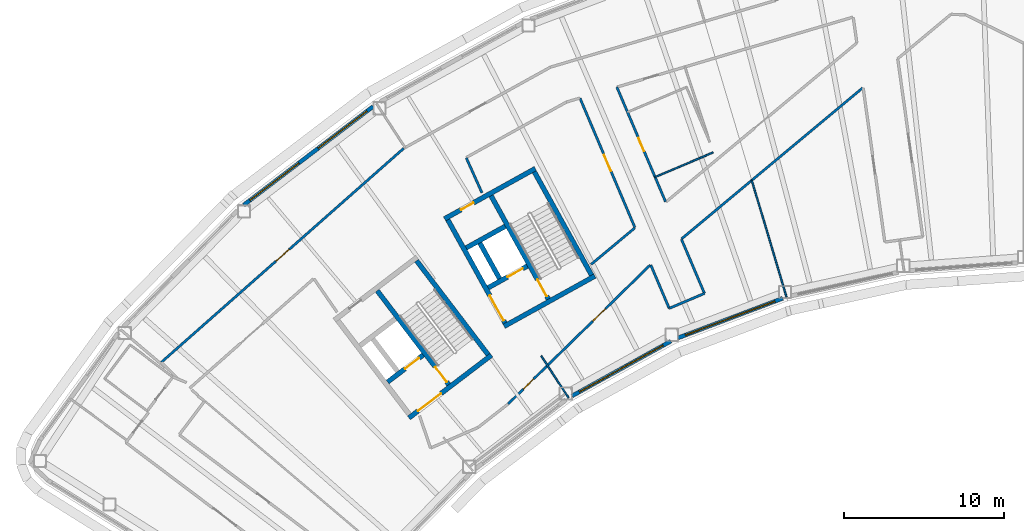
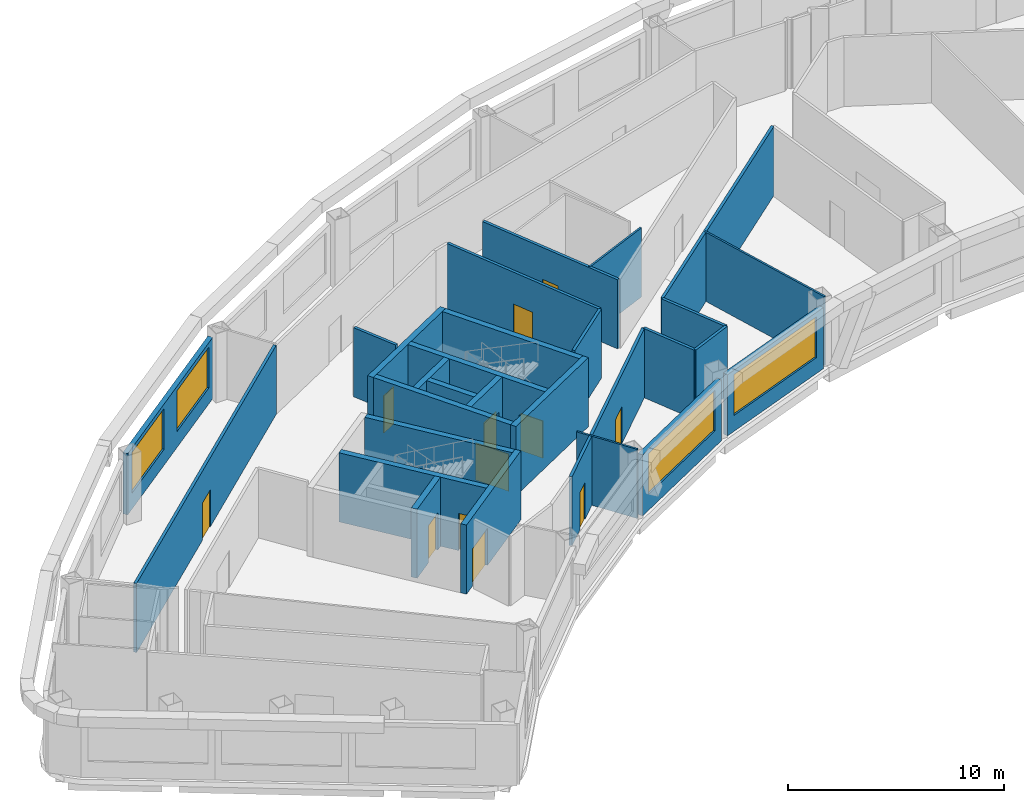
# One storey, part 6 of 14: 28 walls, 12 doors, 4 windows, 16 openings.
"""IFC4 building model written with IfcOpenShell, lengths in metres."""

from ifc_helpers import new_model, si_unit, direction, frame, frame_2d, origin, place, context, subcontext, project, spatial, rectangle, extrude, material, layer, layer_set, type_object, element, fill, save


model = new_model("IFC4")

# Units and contexts
model_context = context("Model", 3, precision=1e-05, world=origin(), true_north=direction((0.0, 1.0)))
body_context = subcontext(model_context, "Body", "Model", "MODEL_VIEW")
ifc_project = project(units=[si_unit("LENGTHUNIT", "METRE"), si_unit("AREAUNIT", "SQUARE_METRE"), si_unit("VOLUMEUNIT", "CUBIC_METRE"), si_unit("PLANEANGLEUNIT", "RADIAN"), si_unit("MASSUNIT", "GRAM", prefix="KILO")], contexts=[model_context])

# Site, building, storey
site_placement = place(None, origin())
site = spatial("IfcSite", under=ifc_project, at=site_placement, CompositionType="ELEMENT")
building_placement = place(site_placement, origin())
building = spatial("IfcBuilding", under=site, at=building_placement, Name="Tuul Gate Civic Tower", CompositionType="ELEMENT")
storey_placement = place(building_placement, frame((0.0, 0.0, 323.89990234375)))
storey = spatial("IfcBuildingStorey", under=building, at=storey_placement, Name="Level 73", CompositionType="ELEMENT", Elevation=323.89990234375)

# Wall, opening, door
ifc_material_1 = material(Name="Concrete C50/60", Category="concrete")
ifc_layer_1 = layer(ifc_material_1, 0.300048828125)
ifc_layer_set_1 = layer_set([ifc_layer_1], Name="Concrete C50/60")
wall_type_1 = type_object("IfcWallType", Name="Core wall C50/60", PredefinedType="SHEAR", material=ifc_layer_set_1)
wall_1_placement = place(storey_placement, frame((-31.19091796875, -13.669677734375, 0.0), z_axis=(0.0, 0.0, 1.0), x_axis=(-0.795606717756, -0.605813461934, 0.0)))
wall_1 = element("IfcWall", 1, at=wall_1_placement, inside=storey, type_object=wall_type_1, Name="Core wall", PredefinedType="SHEAR", context=body_context, shape_type="SweptSolid", body=[
    extrude(rectangle(XDim=6.5, YDim=0.300048828125, at=frame_2d((3.25, 0.0))), origin(), (0.0, 0.0, 1.0), 3.900146484375),
])
opening_1_placement = place(wall_1_placement, frame((3.97509765625, 0.0, 0.0)))
opening_1 = element("IfcOpeningElement", 2, at=opening_1_placement, cuts=wall_1, Name="Opening LB-W1-LOBBY-1", PredefinedType="OPENING", context=body_context, shape_type="SweptSolid", body=[
    extrude(rectangle(XDim=1.800048828125, YDim=2.10009765625, at=frame_2d((0.89990234375, 1.050048828125))), frame((0.0, 0.16015625, 0.0), z_axis=(0.0, -1.0, 0.0), x_axis=(1.0, 0.0, 0.0)), (0.0, 0.0, 1.0), 0.320068359375),
])
ifc_material_2 = material(Name="Steel", Category="steel")
door_type_1 = type_object("IfcDoorType", Name="Lobby door", OperationType="DOUBLE_DOOR_SINGLE_SWING", PredefinedType="DOOR", material=ifc_material_2)
door_1_placement = place(opening_1_placement, origin())
door_1 = element("IfcDoor", 3, at=door_1_placement, inside=storey, type_object=door_type_1, Name="Lobby door W1-LOBBY", OperationType="DOUBLE_DOOR_SINGLE_SWING", OverallHeight=2.10009765625, OverallWidth=1.800048828125, PredefinedType="DOOR", context=body_context, shape_type="SweptSolid", body=[
    extrude(rectangle(XDim=1.800048828125, YDim=2.10009765625, at=frame_2d((0.89990234375, 1.050048828125))), frame((0.0, 0.02490234375, 0.0), z_axis=(0.0, -1.0, 0.0), x_axis=(1.0, 0.0, 0.0)), (0.0, 0.0, 1.0), 0.050048828125),
])
fill(opening_1, door_1)

wall_2_placement = place(storey_placement, frame((-35.470947265625, -13.66064453125, 0.0), z_axis=(0.0, 0.0, 1.0), x_axis=(-0.795615822227, -0.605801504968, 0.0)))
wall_2 = element("IfcWall", 4, at=wall_2_placement, inside=storey, type_object=wall_type_1, Name="Core wall", PredefinedType="SHEAR", context=body_context, shape_type="SweptSolid", body=[
    extrude(rectangle(XDim=2.800048828125, YDim=0.300048828125, at=frame_2d((1.39990234375, 0.0))), origin(), (0.0, 0.0, 1.0), 3.900146484375),
])
opening_2_placement = place(wall_2_placement, frame((0.324951171875, 0.0, 0.0)))
opening_2 = element("IfcOpeningElement", 5, at=opening_2_placement, cuts=wall_2, Name="Opening LD-H1", PredefinedType="OPENING", context=body_context, shape_type="SweptSolid", body=[
    extrude(rectangle(XDim=1.10009765625, YDim=2.10009765625, at=frame_2d((0.550048828125, 1.050048828125))), frame((0.0, 0.16015625, 0.0), z_axis=(0.0, -1.0, 0.0), x_axis=(1.0, 0.0, 0.0)), (0.0, 0.0, 1.0), 0.320068359375),
])
ifc_material_3 = material(Name="Stainless steel", Category="steel")
door_type_2 = type_object("IfcDoorType", Name="Landing door", OperationType="DOUBLE_DOOR_SLIDING", PredefinedType="DOOR", material=ifc_material_3)
door_2_placement = place(opening_2_placement, origin())
door_2 = element("IfcDoor", 6, at=door_2_placement, inside=storey, type_object=door_type_2, Name="High-rise lift H1 landing door", OperationType="DOUBLE_DOOR_SLIDING", OverallHeight=2.10009765625, OverallWidth=1.10009765625, PredefinedType="DOOR", context=body_context, shape_type="SweptSolid", body=[
    extrude(rectangle(XDim=1.10009765625, YDim=2.10009765625, at=frame_2d((0.550048828125, 1.050048828125))), frame((0.0, 0.02490234375, 0.0), z_axis=(0.0, -1.0, 0.0), x_axis=(1.0, 0.0, 0.0)), (0.0, 0.0, 1.0), 0.050048828125),
])
fill(opening_2, door_2)

# Wall
wall_3_placement = place(storey_placement, frame((-31.401123046875, -13.64111328125, 0.0), z_axis=(0.0, 0.0, 1.0), x_axis=(-0.605769822278, 0.795639945213, 0.0)))
element("IfcWall", 7, at=wall_3_placement, inside=storey, type_object=wall_type_1, Name="Core wall", PredefinedType="SHEAR", context=body_context, shape_type="SweptSolid", body=[
    extrude(rectangle(XDim=7.39990234375, YDim=0.300048828125, at=frame_2d((3.699951171875, 0.0))), origin(), (0.0, 0.0, 1.0), 3.900146484375),
])

# Wall, opening, door
wall_4_placement = place(storey_placement, frame((-33.867431640625, -15.51904296875, 0.0), z_axis=(0.0, 0.0, 1.0), x_axis=(-0.605769822278, 0.795639945213, 0.0)))
wall_4 = element("IfcWall", 8, at=wall_4_placement, inside=storey, type_object=wall_type_1, Name="Core wall", PredefinedType="SHEAR", context=body_context, shape_type="SweptSolid", body=[
    extrude(rectangle(XDim=7.39990234375, YDim=0.300048828125, at=frame_2d((3.699951171875, 0.0))), origin(), (0.0, 0.0, 1.0), 3.900146484375),
])
opening_3_placement = place(wall_4_placement, frame((0.199951171875, 0.0, 0.0)))
opening_3 = element("IfcOpeningElement", 9, at=opening_3_placement, cuts=wall_4, Name="Opening SD-ST-1", PredefinedType="OPENING", context=body_context, shape_type="SweptSolid", body=[
    extrude(rectangle(XDim=1.199951171875, YDim=2.10009765625, at=frame_2d((0.60009765625, 1.050048828125))), frame((0.0, 0.16015625, 0.0), z_axis=(0.0, -1.0, 0.0), x_axis=(1.0, 0.0, 0.0)), (0.0, 0.0, 1.0), 0.320068359375),
])
ifc_material_4 = material(Name="Steel", Category="steel")
door_type_3 = type_object("IfcDoorType", Name="Stair door", OperationType="NOTDEFINED", PredefinedType="DOOR", material=ifc_material_4)
door_3_placement = place(opening_3_placement, origin())
door_3 = element("IfcDoor", 10, at=door_3_placement, inside=storey, type_object=door_type_3, Name="Stair door ST-1", OperationType="SINGLE_SWING_LEFT", OverallHeight=2.10009765625, OverallWidth=1.199951171875, PredefinedType="DOOR", context=body_context, shape_type="SweptSolid", body=[
    extrude(rectangle(XDim=1.199951171875, YDim=2.10009765625, at=frame_2d((0.60009765625, 1.050048828125))), frame((0.0, 0.02490234375, 0.0), z_axis=(0.0, -1.0, 0.0), x_axis=(1.0, 0.0, 0.0)), (0.0, 0.0, 1.0), 0.050048828125),
])
fill(opening_3, door_3)

# Wall
wall_5_placement = place(storey_placement, frame((-24.711669921875, -8.7158203125, 0.0), z_axis=(0.0, 0.0, 1.0), x_axis=(-0.874629909008, -0.484791215132, 0.0)))
element("IfcWall", 11, at=wall_5_placement, inside=storey, type_object=wall_type_1, Name="Core wall", PredefinedType="SHEAR", context=body_context, shape_type="SweptSolid", body=[
    extrude(rectangle(XDim=6.5, YDim=0.300048828125, at=frame_2d((3.25, 0.0))), origin(), (0.0, 0.0, 1.0), 3.900146484375),
])

# Wall, opening, door
wall_6_placement = place(storey_placement, frame((-28.94580078125, -8.090087890625, 0.0), z_axis=(0.0, 0.0, 1.0), x_axis=(-0.874629840737, -0.484791338301, 0.0)))
wall_6 = element("IfcWall", 12, at=wall_6_placement, inside=storey, type_object=wall_type_1, Name="Core wall", PredefinedType="SHEAR", context=body_context, shape_type="SweptSolid", body=[
    extrude(rectangle(XDim=2.800048828125, YDim=0.300048828125, at=frame_2d((1.39990234375, 0.0))), origin(), (0.0, 0.0, 1.0), 3.900146484375),
])
opening_4_placement = place(wall_6_placement, frame((0.324951171875, 0.0, 0.0)))
opening_4 = element("IfcOpeningElement", 13, at=opening_4_placement, cuts=wall_6, Name="Opening LD-FF-1", PredefinedType="OPENING", context=body_context, shape_type="SweptSolid", body=[
    extrude(rectangle(XDim=1.10009765625, YDim=2.10009765625, at=frame_2d((0.550048828125, 1.050048828125))), frame((0.0, 0.16015625, 0.0), z_axis=(0.0, -1.0, 0.0), x_axis=(1.0, 0.0, 0.0)), (0.0, 0.0, 1.0), 0.320068359375),
])
door_4_placement = place(opening_4_placement, origin())
door_4 = element("IfcDoor", 14, at=door_4_placement, inside=storey, type_object=door_type_2, Name="Fire-fighting lift FF-1 landing door", OperationType="DOUBLE_DOOR_SLIDING", OverallHeight=2.10009765625, OverallWidth=1.10009765625, PredefinedType="DOOR", context=body_context, shape_type="SweptSolid", body=[
    extrude(rectangle(XDim=1.10009765625, YDim=2.10009765625, at=frame_2d((0.550048828125, 1.050048828125))), frame((0.0, 0.02490234375, 0.0), z_axis=(0.0, -1.0, 0.0), x_axis=(1.0, 0.0, 0.0)), (0.0, 0.0, 1.0), 0.050048828125),
])
fill(opening_4, door_4)

# Wall
wall_7_placement = place(storey_placement, frame((-30.327392578125, -5.59716796875, 0.0), z_axis=(0.0, 0.0, 1.0), x_axis=(-0.874629840737, -0.484791338301, 0.0)))
element("IfcWall", 15, at=wall_7_placement, inside=storey, type_object=wall_type_1, Name="Core wall", PredefinedType="SHEAR", context=body_context, shape_type="SweptSolid", body=[
    extrude(rectangle(XDim=2.800048828125, YDim=0.300048828125, at=frame_2d((1.39990234375, 0.0))), origin(), (0.0, 0.0, 1.0), 3.900146484375),
])

# Wall, opening, door
wall_8_placement = place(storey_placement, frame((-28.4443359375, -1.98095703125, 0.0), z_axis=(0.0, 0.0, 1.0), x_axis=(-0.874629909008, -0.484791215132, 0.0)))
wall_8 = element("IfcWall", 16, at=wall_8_placement, inside=storey, type_object=wall_type_1, Name="Core wall", PredefinedType="SHEAR", context=body_context, shape_type="SweptSolid", body=[
    extrude(rectangle(XDim=6.5, YDim=0.300048828125, at=frame_2d((3.25, 0.0))), origin(), (0.0, 0.0, 1.0), 3.900146484375),
])
opening_5_placement = place(wall_8_placement, frame((4.425048828125, 0.0, 0.0)))
opening_5 = element("IfcOpeningElement", 17, at=opening_5_placement, cuts=wall_8, Name="Opening AA-D29", PredefinedType="OPENING", context=body_context, shape_type="SweptSolid", body=[
    extrude(rectangle(XDim=0.89990234375, YDim=2.10009765625, at=frame_2d((0.449951171875, 1.050048828125))), frame((0.0, 0.16015625, 0.0), z_axis=(0.0, -1.0, 0.0), x_axis=(1.0, 0.0, 0.0)), (0.0, 0.0, 1.0), 0.320068359375),
])
ifc_material_5 = material(Name="Timber door leaf", Category="wood")
door_type_4 = type_object("IfcDoorType", Name="Door D09", OperationType="NOTDEFINED", PredefinedType="DOOR", material=ifc_material_5)
door_5_placement = place(opening_5_placement, origin())
door_5 = element("IfcDoor", 18, at=door_5_placement, inside=storey, type_object=door_type_4, Name="Door AA-D29", OperationType="SINGLE_SWING_LEFT", OverallHeight=2.10009765625, OverallWidth=0.89990234375, PredefinedType="DOOR", context=body_context, shape_type="SweptSolid", body=[
    extrude(rectangle(XDim=0.89990234375, YDim=2.10009765625, at=frame_2d((0.449951171875, 1.050048828125))), frame((0.0, 0.02490234375, 0.0), z_axis=(0.0, -1.0, 0.0), x_axis=(1.0, 0.0, 0.0)), (0.0, 0.0, 1.0), 0.050048828125),
])
fill(opening_5, door_5)

# Wall
wall_9_placement = place(storey_placement, frame((-24.91552734375, -8.6572265625, 0.0), z_axis=(0.0, 0.0, 1.0), x_axis=(-0.484777133038, 0.874637714304, 0.0)))
element("IfcWall", 19, at=wall_9_placement, inside=storey, type_object=wall_type_1, Name="Core wall", PredefinedType="SHEAR", context=body_context, shape_type="SweptSolid", body=[
    extrude(rectangle(XDim=7.400146484375, YDim=0.300048828125, at=frame_2d((3.7001953125, 0.0))), origin(), (0.0, 0.0, 1.0), 3.900146484375),
])

# Wall, opening, door
wall_10_placement = place(storey_placement, frame((-27.626953125, -10.16015625, 0.0), z_axis=(0.0, 0.0, 1.0), x_axis=(-0.484751894226, 0.874651702704, 0.0)))
wall_10 = element("IfcWall", 20, at=wall_10_placement, inside=storey, type_object=wall_type_1, Name="Core wall", PredefinedType="SHEAR", context=body_context, shape_type="SweptSolid", body=[
    extrude(rectangle(XDim=7.39990234375, YDim=0.300048828125, at=frame_2d((3.699951171875, 0.0))), origin(), (0.0, 0.0, 1.0), 3.900146484375),
])
opening_6_placement = place(wall_10_placement, frame((0.199951171875, 0.0, 0.0)))
opening_6 = element("IfcOpeningElement", 21, at=opening_6_placement, cuts=wall_10, Name="Opening SD-ST-2", PredefinedType="OPENING", context=body_context, shape_type="SweptSolid", body=[
    extrude(rectangle(XDim=1.199951171875, YDim=2.10009765625, at=frame_2d((0.60009765625, 1.050048828125))), frame((0.0, 0.16015625, 0.0), z_axis=(0.0, -1.0, 0.0), x_axis=(1.0, 0.0, 0.0)), (0.0, 0.0, 1.0), 0.320068359375),
])
door_6_placement = place(opening_6_placement, origin())
door_6 = element("IfcDoor", 22, at=door_6_placement, inside=storey, type_object=door_type_3, Name="Stair door ST-2", OperationType="SINGLE_SWING_LEFT", OverallHeight=2.10009765625, OverallWidth=1.199951171875, PredefinedType="DOOR", context=body_context, shape_type="SweptSolid", body=[
    extrude(rectangle(XDim=1.199951171875, YDim=2.10009765625, at=frame_2d((0.60009765625, 1.050048828125))), frame((0.0, 0.02490234375, 0.0), z_axis=(0.0, -1.0, 0.0), x_axis=(1.0, 0.0, 0.0)), (0.0, 0.0, 1.0), 0.050048828125),
])
fill(opening_6, door_6)

# Wall
wall_11_placement = place(storey_placement, frame((-30.680419921875, -8.8798828125, 0.0), z_axis=(0.0, 0.0, 1.0), x_axis=(-0.484724115216, 0.874667097888, 0.0)))
element("IfcWall", 23, at=wall_11_placement, inside=storey, type_object=wall_type_1, Name="Core wall", PredefinedType="SHEAR", context=body_context, shape_type="SweptSolid", body=[
    extrude(rectangle(XDim=2.550048828125, YDim=0.300048828125, at=frame_2d((1.27490234375, 0.0))), origin(), (0.0, 0.0, 1.0), 3.900146484375),
])

# Wall, opening, door
wall_12_placement = place(storey_placement, frame((-30.33837890625, -11.6630859375, 0.0), z_axis=(0.0, 0.0, 1.0), x_axis=(-0.484751894226, 0.874651702704, 0.0)))
wall_12 = element("IfcWall", 24, at=wall_12_placement, inside=storey, type_object=wall_type_1, Name="Core wall", PredefinedType="SHEAR", context=body_context, shape_type="SweptSolid", body=[
    extrude(rectangle(XDim=7.39990234375, YDim=0.300048828125, at=frame_2d((3.699951171875, 0.0))), origin(), (0.0, 0.0, 1.0), 3.900146484375),
])
opening_7_placement = place(wall_12_placement, frame((0.175048828125, 0.0, 0.0)))
opening_7 = element("IfcOpeningElement", 25, at=opening_7_placement, cuts=wall_12, Name="Opening LB-W2-FLOBBY-1", PredefinedType="OPENING", context=body_context, shape_type="SweptSolid", body=[
    extrude(rectangle(XDim=1.800048828125, YDim=2.10009765625, at=frame_2d((0.89990234375, 1.050048828125))), frame((0.0, 0.16015625, 0.0), z_axis=(0.0, -1.0, 0.0), x_axis=(1.0, 0.0, 0.0)), (0.0, 0.0, 1.0), 0.320068359375),
])
door_7_placement = place(opening_7_placement, origin())
door_7 = element("IfcDoor", 26, at=door_7_placement, inside=storey, type_object=door_type_1, Name="Lobby door W2-FLOBBY", OperationType="DOUBLE_DOOR_SINGLE_SWING", OverallHeight=2.10009765625, OverallWidth=1.800048828125, PredefinedType="DOOR", context=body_context, shape_type="SweptSolid", body=[
    extrude(rectangle(XDim=1.800048828125, YDim=2.10009765625, at=frame_2d((0.89990234375, 1.050048828125))), frame((0.0, 0.02490234375, 0.0), z_axis=(0.0, -1.0, 0.0), x_axis=(1.0, 0.0, 0.0)), (0.0, 0.0, 1.0), 0.050048828125),
])
fill(opening_7, door_7)

# Wall
ifc_material_6 = material(Name="Gypsum board partition")
ifc_layer_2 = layer(ifc_material_6, 0.14990234375)
ifc_layer_set_2 = layer_set([ifc_layer_2], Name="Gypsum board partition")
wall_type_2 = type_object("IfcWallType", Name="Corridor wall P150", PredefinedType="PARTITIONING", material=ifc_layer_set_2)
wall_13_placement = place(storey_placement, frame((-24.944091796875, -7.9853515625, 0.0), z_axis=(0.0, 0.0, 1.0), x_axis=(0.768103396808, 0.640325832535, 0.0)))
element("IfcWall", 27, at=wall_13_placement, inside=storey, type_object=wall_type_2, Name="p028", PredefinedType="PARTITIONING", context=body_context, shape_type="SweptSolid", body=[
    extrude(rectangle(XDim=3.5654296875, YDim=0.14990234375, at=frame_2d((1.78271484375, 0.0))), origin(), (0.0, 0.0, 1.0), 3.900146484375),
])

# Wall, opening, door
wall_14_placement = place(storey_placement, frame((-51.87841796875, -14.11865234375, 0.0), z_axis=(0.0, 0.0, 1.0), x_axis=(0.749760133778, 0.661709711125, 0.0)))
wall_14 = element("IfcWall", 28, at=wall_14_placement, inside=storey, type_object=wall_type_2, Name="p037", PredefinedType="PARTITIONING", context=body_context, shape_type="SweptSolid", body=[
    extrude(rectangle(XDim=20.260498046875, YDim=0.14990234375, at=frame_2d((10.13037109375, 0.0))), origin(), (0.0, 0.0, 1.0), 3.900146484375),
])
opening_8_placement = place(wall_14_placement, frame((9.580078125, 0.0, 0.0)))
opening_8 = element("IfcOpeningElement", 29, at=opening_8_placement, cuts=wall_14, Name="Opening AA-D05", PredefinedType="OPENING", context=body_context, shape_type="SweptSolid", body=[
    extrude(rectangle(XDim=1.10009765625, YDim=2.10009765625, at=frame_2d((0.550048828125, 1.050048828125))), frame((0.0, 0.0849609375, 0.0), z_axis=(0.0, -1.0, 0.0), x_axis=(1.0, 0.0, 0.0)), (0.0, 0.0, 1.0), 0.169921875),
])
ifc_material_7 = material(Name="Timber door leaf", Category="wood")
door_type_5 = type_object("IfcDoorType", Name="Door D11", OperationType="NOTDEFINED", PredefinedType="DOOR", material=ifc_material_7)
door_8_placement = place(opening_8_placement, origin())
door_8 = element("IfcDoor", 30, at=door_8_placement, inside=storey, type_object=door_type_5, Name="Door AA-D05", OperationType="SINGLE_SWING_RIGHT", OverallHeight=2.10009765625, OverallWidth=1.10009765625, PredefinedType="DOOR", context=body_context, shape_type="SweptSolid", body=[
    extrude(rectangle(XDim=1.10009765625, YDim=2.10009765625, at=frame_2d((0.550048828125, 1.050048828125))), frame((0.0, 0.02490234375, 0.0), z_axis=(0.0, -1.0, 0.0), x_axis=(1.0, 0.0, 0.0)), (0.0, 0.0, 1.0), 0.050048828125),
])
fill(opening_8, door_8)

# Wall, openings, doors
wall_15_placement = place(storey_placement, frame((-30.145263671875, -16.731689453125, 0.0), z_axis=(0.0, 0.0, 1.0), x_axis=(0.714957486938, 0.699167928234, 0.0)))
wall_15 = element("IfcWall", 31, at=wall_15_placement, inside=storey, type_object=wall_type_2, Name="p079", PredefinedType="PARTITIONING", context=body_context, shape_type="SweptSolid", body=[
    extrude(rectangle(XDim=12.46240234375, YDim=0.14990234375, at=frame_2d((6.231201171875, 0.0))), origin(), (0.0, 0.0, 1.0), 3.900146484375),
])
opening_9_placement = place(wall_15_placement, frame((7.421875, 0.0, 0.0)))
opening_9 = element("IfcOpeningElement", 32, at=opening_9_placement, cuts=wall_15, Name="Opening AA-D17", PredefinedType="OPENING", context=body_context, shape_type="SweptSolid", body=[
    extrude(rectangle(XDim=1.10009765625, YDim=2.10009765625, at=frame_2d((0.550048828125, 1.050048828125))), frame((0.0, 0.0849609375, 0.0), z_axis=(0.0, -1.0, 0.0), x_axis=(1.0, 0.0, 0.0)), (0.0, 0.0, 1.0), 0.169921875),
])
opening_10_placement = place(wall_15_placement, frame((1.335693359375, 0.0, 0.0)))
opening_10 = element("IfcOpeningElement", 33, at=opening_10_placement, cuts=wall_15, Name="Opening AA-D18", PredefinedType="OPENING", context=body_context, shape_type="SweptSolid", body=[
    extrude(rectangle(XDim=0.89990234375, YDim=2.10009765625, at=frame_2d((0.449951171875, 1.050048828125))), frame((0.0, 0.0849609375, 0.0), z_axis=(0.0, -1.0, 0.0), x_axis=(1.0, 0.0, 0.0)), (0.0, 0.0, 1.0), 0.169921875),
])
door_9_placement = place(opening_10_placement, frame((0.89990234375, 0.0, 0.0), z_axis=(0.0, 0.0, 1.0), x_axis=(-1.0, 0.0, 0.0)))
door_9 = element("IfcDoor", 34, at=door_9_placement, inside=storey, type_object=door_type_4, Name="Door AA-D18", OperationType="SINGLE_SWING_LEFT", OverallHeight=2.10009765625, OverallWidth=0.89990234375, PredefinedType="DOOR", context=body_context, shape_type="SweptSolid", body=[
    extrude(rectangle(XDim=0.89990234375, YDim=2.10009765625, at=frame_2d((0.449951171875, 1.050048828125))), frame((0.0, 0.02490234375, 0.0), z_axis=(0.0, -1.0, 0.0), x_axis=(1.0, 0.0, 0.0)), (0.0, 0.0, 1.0), 0.050048828125),
])
fill(opening_10, door_9)
door_10_placement = place(opening_9_placement, frame((1.10009765625, 0.0, 0.0), z_axis=(0.0, 0.0, 1.0), x_axis=(-1.0, 0.0, 0.0)))
door_10 = element("IfcDoor", 35, at=door_10_placement, inside=storey, type_object=door_type_5, Name="Door AA-D17", OperationType="SINGLE_SWING_LEFT", OverallHeight=2.10009765625, OverallWidth=1.10009765625, PredefinedType="DOOR", context=body_context, shape_type="SweptSolid", body=[
    extrude(rectangle(XDim=1.10009765625, YDim=2.10009765625, at=frame_2d((0.550048828125, 1.050048828125))), frame((0.0, 0.02490234375, 0.0), z_axis=(0.0, -1.0, 0.0), x_axis=(1.0, 0.0, 0.0)), (0.0, 0.0, 1.0), 0.050048828125),
])
fill(opening_9, door_10)

# Wall
wall_16_placement = place(storey_placement, frame((-19.2763671875, -6.385498046875, 0.0), z_axis=(0.0, 0.0, 1.0), x_axis=(0.768126474585, 0.640298148554, 0.0)))
element("IfcWall", 36, at=wall_16_placement, inside=storey, type_object=wall_type_2, Name="p080", PredefinedType="PARTITIONING", context=body_context, shape_type="SweptSolid", body=[
    extrude(rectangle(XDim=14.77685546875, YDim=0.14990234375, at=frame_2d((7.388427734375, 0.0))), origin(), (0.0, 0.0, 1.0), 3.900146484375),
])

# Wall, opening, door
wall_17_placement = place(storey_placement, frame((-25.638427734375, 2.42236328125, 0.0), z_axis=(0.0, 0.0, 1.0), x_axis=(0.390732930175, -0.92050408868, 0.0)))
wall_17 = element("IfcWall", 37, at=wall_17_placement, inside=storey, type_object=wall_type_2, Name="p086", PredefinedType="PARTITIONING", context=body_context, shape_type="SweptSolid", body=[
    extrude(rectangle(XDim=8.80078125, YDim=0.14990234375, at=frame_2d((4.400390625, 0.0))), origin(), (0.0, 0.0, 1.0), 3.900146484375),
])
opening_11_placement = place(wall_17_placement, frame((3.850341796875, 0.0, 0.0)))
opening_11 = element("IfcOpeningElement", 38, at=opening_11_placement, cuts=wall_17, Name="Opening AA-D25", PredefinedType="OPENING", context=body_context, shape_type="SweptSolid", body=[
    extrude(rectangle(XDim=1.10009765625, YDim=2.10009765625, at=frame_2d((0.550048828125, 1.050048828125))), frame((0.0, 0.0849609375, 0.0), z_axis=(0.0, -1.0, 0.0), x_axis=(1.0, 0.0, 0.0)), (0.0, 0.0, 1.0), 0.169921875),
])
door_11_placement = place(opening_11_placement, frame((1.10009765625, 0.0, 0.0), z_axis=(0.0, 0.0, 1.0), x_axis=(-1.0, 0.0, 0.0)))
door_11 = element("IfcDoor", 39, at=door_11_placement, inside=storey, type_object=door_type_5, Name="Door AA-D25", OperationType="SINGLE_SWING_LEFT", OverallHeight=2.10009765625, OverallWidth=1.10009765625, PredefinedType="DOOR", context=body_context, shape_type="SweptSolid", body=[
    extrude(rectangle(XDim=1.10009765625, YDim=2.10009765625, at=frame_2d((0.550048828125, 1.050048828125))), frame((0.0, 0.02490234375, 0.0), z_axis=(0.0, -1.0, 0.0), x_axis=(1.0, 0.0, 0.0)), (0.0, 0.0, 1.0), 0.050048828125),
])
fill(opening_11, door_11)

# Walls
wall_18_placement = place(storey_placement, frame((-21.203369140625, -8.02587890625, 0.0), z_axis=(0.0, 0.0, 1.0), x_axis=(0.390730503932, -0.920505118561, 0.0)))
element("IfcWall", 40, at=wall_18_placement, inside=storey, type_object=wall_type_2, Name="p087", PredefinedType="PARTITIONING", context=body_context, shape_type="SweptSolid", body=[
    extrude(rectangle(XDim=2.94970703125, YDim=0.14990234375, at=frame_2d((1.474853515625, 0.0))), origin(), (0.0, 0.0, 1.0), 3.900146484375),
])
wall_19_placement = place(storey_placement, frame((-20.0498046875, -10.741455078125, 0.0), z_axis=(0.0, 0.0, 1.0), x_axis=(0.920487490338, 0.390772030898, 0.0)))
element("IfcWall", 41, at=wall_19_placement, inside=storey, type_object=wall_type_2, Name="p088", PredefinedType="PARTITIONING", context=body_context, shape_type="SweptSolid", body=[
    extrude(rectangle(XDim=2.3984375, YDim=0.14990234375, at=frame_2d((1.19921875, 0.0))), origin(), (0.0, 0.0, 1.0), 3.900146484375),
])

# Wall, opening, door
wall_20_placement = place(storey_placement, frame((-23.32958984375, 3.125732421875, 0.0), z_axis=(0.0, 0.0, 1.0), x_axis=(0.390720861827, -0.920509211324, 0.0)))
wall_20 = element("IfcWall", 42, at=wall_20_placement, inside=storey, type_object=wall_type_2, Name="p089", PredefinedType="PARTITIONING", context=body_context, shape_type="SweptSolid", body=[
    extrude(rectangle(XDim=7.80859375, YDim=0.14990234375, at=frame_2d((3.904296875, 0.0))), origin(), (0.0, 0.0, 1.0), 3.900146484375),
])
opening_12_placement = place(wall_20_placement, frame((3.4658203125, 0.0, 0.0)))
opening_12 = element("IfcOpeningElement", 43, at=opening_12_placement, cuts=wall_20, Name="Opening AA-D24", PredefinedType="OPENING", context=body_context, shape_type="SweptSolid", body=[
    extrude(rectangle(XDim=0.89990234375, YDim=2.10009765625, at=frame_2d((0.449951171875, 1.050048828125))), frame((0.0, 0.0849609375, 0.0), z_axis=(0.0, -1.0, 0.0), x_axis=(1.0, 0.0, 0.0)), (0.0, 0.0, 1.0), 0.169921875),
])
door_12_placement = place(opening_12_placement, frame((0.89990234375, 0.0, 0.0), z_axis=(0.0, 0.0, 1.0), x_axis=(-1.0, 0.0, 0.0)))
door_12 = element("IfcDoor", 44, at=door_12_placement, inside=storey, type_object=door_type_4, Name="Door AA-D24", OperationType="SINGLE_SWING_LEFT", OverallHeight=2.10009765625, OverallWidth=0.89990234375, PredefinedType="DOOR", context=body_context, shape_type="SweptSolid", body=[
    extrude(rectangle(XDim=0.89990234375, YDim=2.10009765625, at=frame_2d((0.449951171875, 1.050048828125))), frame((0.0, 0.02490234375, 0.0), z_axis=(0.0, -1.0, 0.0), x_axis=(1.0, 0.0, 0.0)), (0.0, 0.0, 1.0), 0.050048828125),
])
fill(opening_12, door_12)

# Walls
wall_21_placement = place(storey_placement, frame((-19.2822265625, -6.409423828125, 0.0), z_axis=(0.0, 0.0, 1.0), x_axis=(0.390752201577, -0.920495908173, 0.0)))
element("IfcWall", 45, at=wall_21_placement, inside=storey, type_object=wall_type_2, Name="p090", PredefinedType="PARTITIONING", context=body_context, shape_type="SweptSolid", body=[
    extrude(rectangle(XDim=3.68701171875, YDim=0.14990234375, at=frame_2d((1.843505859375, 0.0))), origin(), (0.0, 0.0, 1.0), 3.900146484375),
])
wall_22_placement = place(storey_placement, frame((-32.768798828125, -1.3076171875, 0.0), z_axis=(0.0, 0.0, 1.0), x_axis=(0.409240412041, -0.912426591651, 0.0)))
element("IfcWall", 46, at=wall_22_placement, inside=storey, type_object=wall_type_2, Name="p111", PredefinedType="PARTITIONING", context=body_context, shape_type="SweptSolid", body=[
    extrude(rectangle(XDim=2.3935546875, YDim=0.14990234375, at=frame_2d((1.19677734375, 0.0))), origin(), (0.0, 0.0, 1.0), 3.900146484375),
])

# Wall, openings, windows
ifc_material_8 = material(Name="Precast concrete C40/50", Category="concrete")
ifc_layer_3 = layer(ifc_material_8, 0.25)
ifc_layer_set_3 = layer_set([ifc_layer_3], Name="Precast concrete C40/50")
wall_type_3 = type_object("IfcWallType", Name="External wall", PredefinedType="STANDARD", material=ifc_layer_set_3)
wall_23_placement = place(storey_placement, frame((-38.610107421875, 1.909423828125, 0.0), z_axis=(0.0, 0.0, 1.0), x_axis=(-0.795611005019, -0.605807831488, 0.0)))
wall_23 = element("IfcWall", 47, at=wall_23_placement, inside=storey, type_object=wall_type_3, Name="External wall", PredefinedType="STANDARD", context=body_context, shape_type="SweptSolid", body=[
    extrude(rectangle(XDim=10.188720703125, YDim=0.25, at=frame_2d((5.09423828125, 0.0))), origin(), (0.0, 0.0, 1.0), 3.4501953125),
])
opening_13_placement = place(wall_23_placement, frame((0.47314453125, 0.0, 0.89990234375)))
opening_13 = element("IfcOpeningElement", 48, at=opening_13_placement, cuts=wall_23, Name="Opening W22", PredefinedType="OPENING", context=body_context, shape_type="SweptSolid", body=[
    extrude(rectangle(XDim=3.85009765625, YDim=2.300048828125, at=frame_2d((1.925048828125, 1.14990234375))), frame((0.0, 0.135009765625, 0.0), z_axis=(0.0, -1.0, 0.0), x_axis=(1.0, 0.0, 0.0)), (0.0, 0.0, 1.0), 0.27001953125),
])
opening_14_placement = place(wall_23_placement, frame((5.844482421875, 0.0, 0.89990234375)))
opening_14 = element("IfcOpeningElement", 49, at=opening_14_placement, cuts=wall_23, Name="Opening W22", PredefinedType="OPENING", context=body_context, shape_type="SweptSolid", body=[
    extrude(rectangle(XDim=3.85009765625, YDim=2.300048828125, at=frame_2d((1.925048828125, 1.14990234375))), frame((0.0, 0.135009765625, 0.0), z_axis=(0.0, -1.0, 0.0), x_axis=(1.0, 0.0, 0.0)), (0.0, 0.0, 1.0), 0.27001953125),
])
ifc_material_9 = material(Name="Glass", Category="glass")
window_type_1 = type_object("IfcWindowType", Name="Window W22 3850 x 2300", PartitioningType="SINGLE_PANEL", PredefinedType="WINDOW", material=ifc_material_9)
window_1_placement = place(opening_13_placement, origin())
window_1 = element("IfcWindow", 50, at=window_1_placement, inside=storey, type_object=window_type_1, Name="Window", OverallHeight=2.300048828125, OverallWidth=3.85009765625, PartitioningType="SINGLE_PANEL", PredefinedType="WINDOW", context=body_context, shape_type="SweptSolid", body=[
    extrude(rectangle(XDim=3.85009765625, YDim=2.300048828125, at=frame_2d((1.925048828125, 1.14990234375))), frame((0.0, 0.030029296875, 0.0), z_axis=(0.0, -1.0, 0.0), x_axis=(1.0, 0.0, 0.0)), (0.0, 0.0, 1.0), 0.06005859375),
])
fill(opening_13, window_1)
window_2_placement = place(opening_14_placement, origin())
window_2 = element("IfcWindow", 51, at=window_2_placement, inside=storey, type_object=window_type_1, Name="Window", OverallHeight=2.300048828125, OverallWidth=3.85009765625, PartitioningType="SINGLE_PANEL", PredefinedType="WINDOW", context=body_context, shape_type="SweptSolid", body=[
    extrude(rectangle(XDim=3.85009765625, YDim=2.300048828125, at=frame_2d((1.925048828125, 1.14990234375))), frame((0.0, 0.030029296875, 0.0), z_axis=(0.0, -1.0, 0.0), x_axis=(1.0, 0.0, 0.0)), (0.0, 0.0, 1.0), 0.06005859375),
])
fill(opening_14, window_2)

# Wall, opening, window
wall_24_placement = place(storey_placement, frame((-26.135009765625, -16.226318359375, 0.0), z_axis=(0.0, 0.0, 1.0), x_axis=(0.874614232828, 0.484819496034, 0.0)))
wall_24 = element("IfcWall", 52, at=wall_24_placement, inside=storey, type_object=wall_type_3, Name="External wall", PredefinedType="STANDARD", context=body_context, shape_type="SweptSolid", body=[
    extrude(rectangle(XDim=7.07568359375, YDim=0.25, at=frame_2d((3.537841796875, 0.0))), origin(), (0.0, 0.0, 1.0), 3.4501953125),
])
opening_15_placement = place(wall_24_placement, frame((0.51904296875, 0.0, 0.89990234375)))
opening_15 = element("IfcOpeningElement", 53, at=opening_15_placement, cuts=wall_24, Name="Opening W26", PredefinedType="OPENING", context=body_context, shape_type="SweptSolid", body=[
    extrude(rectangle(XDim=6.0, YDim=2.300048828125, at=frame_2d((3.0, 1.14990234375))), frame((0.0, 0.135009765625, 0.0), z_axis=(0.0, -1.0, 0.0), x_axis=(1.0, 0.0, 0.0)), (0.0, 0.0, 1.0), 0.27001953125),
])
ifc_material_10 = material(Name="Glass", Category="glass")
window_type_2 = type_object("IfcWindowType", Name="Window W26 6000 x 2300", PartitioningType="SINGLE_PANEL", PredefinedType="WINDOW", material=ifc_material_10)
window_3_placement = place(opening_15_placement, origin())
window_3 = element("IfcWindow", 54, at=window_3_placement, inside=storey, type_object=window_type_2, Name="Window", OverallHeight=2.300048828125, OverallWidth=6.0, PartitioningType="SINGLE_PANEL", PredefinedType="WINDOW", context=body_context, shape_type="SweptSolid", body=[
    extrude(rectangle(XDim=6.0, YDim=2.300048828125, at=frame_2d((3.0, 1.14990234375))), frame((0.0, 0.030029296875, 0.0), z_axis=(0.0, -1.0, 0.0), x_axis=(1.0, 0.0, 0.0)), (0.0, 0.0, 1.0), 0.06005859375),
])
fill(opening_15, window_3)

wall_25_placement = place(storey_placement, frame((-19.4951171875, -12.592041015625, 0.0), z_axis=(0.0, 0.0, 1.0), x_axis=(0.935367772721, 0.353676589209, 0.0)))
wall_25 = element("IfcWall", 55, at=wall_25_placement, inside=storey, type_object=wall_type_3, Name="External wall", PredefinedType="STANDARD", context=body_context, shape_type="SweptSolid", body=[
    extrude(rectangle(XDim=7.017578125, YDim=0.25, at=frame_2d((3.5087890625, 0.0))), origin(), (0.0, 0.0, 1.0), 3.4501953125),
])
opening_16_placement = place(wall_25_placement, frame((0.491455078125, 0.0, 0.89990234375)))
opening_16 = element("IfcOpeningElement", 56, at=opening_16_placement, cuts=wall_25, Name="Opening W26", PredefinedType="OPENING", context=body_context, shape_type="SweptSolid", body=[
    extrude(rectangle(XDim=6.0, YDim=2.300048828125, at=frame_2d((3.0, 1.14990234375))), frame((0.0, 0.135009765625, 0.0), z_axis=(0.0, -1.0, 0.0), x_axis=(1.0, 0.0, 0.0)), (0.0, 0.0, 1.0), 0.27001953125),
])
window_4_placement = place(opening_16_placement, origin())
window_4 = element("IfcWindow", 57, at=window_4_placement, inside=storey, type_object=window_type_2, Name="Window", OverallHeight=2.300048828125, OverallWidth=6.0, PartitioningType="SINGLE_PANEL", PredefinedType="WINDOW", context=body_context, shape_type="SweptSolid", body=[
    extrude(rectangle(XDim=6.0, YDim=2.300048828125, at=frame_2d((3.0, 1.14990234375))), frame((0.0, 0.030029296875, 0.0), z_axis=(0.0, -1.0, 0.0), x_axis=(1.0, 0.0, 0.0)), (0.0, 0.0, 1.0), 0.06005859375),
])
fill(opening_16, window_4)

# Walls
ifc_material_11 = material(Name="Gypsum board partition")
ifc_layer_4 = layer(ifc_material_11, 0.10009765625)
ifc_layer_set_4 = layer_set([ifc_layer_4], Name="Gypsum board partition")
wall_type_4 = type_object("IfcWallType", Name="Partition P100", PredefinedType="PARTITIONING", material=ifc_layer_set_4)
wall_26_placement = place(storey_placement, frame((-14.875, -2.716552734375, 0.0), z_axis=(0.0, 0.0, 1.0), x_axis=(0.285238893825, -0.958456453601, 0.0)))
element("IfcWall", 58, at=wall_26_placement, inside=storey, type_object=wall_type_4, Name="p033", PredefinedType="PARTITIONING", context=body_context, shape_type="SweptSolid", body=[
    extrude(rectangle(XDim=7.6279296875, YDim=0.10009765625, at=frame_2d((3.81396484375, 0.0))), origin(), (0.0, 0.0, 1.0), 3.900146484375),
])
wall_27_placement = place(storey_placement, frame((-28.073974609375, -13.71875, 0.0), z_axis=(0.0, 0.0, 1.0), x_axis=(0.546724513624, -0.837312549889, 0.0)))
element("IfcWall", 59, at=wall_27_placement, inside=storey, type_object=wall_type_4, Name="p035", PredefinedType="PARTITIONING", context=body_context, shape_type="SweptSolid", body=[
    extrude(rectangle(XDim=3.146484375, YDim=0.10009765625, at=frame_2d((1.5732421875, 0.0))), origin(), (0.0, 0.0, 1.0), 3.900146484375),
])
wall_28_placement = place(storey_placement, frame((-20.935791015625, -2.513916015625, 0.0), z_axis=(0.0, 0.0, 1.0), x_axis=(0.920509775606, 0.39071953242, 0.0)))
element("IfcWall", 60, at=wall_28_placement, inside=storey, type_object=wall_type_4, Name="p105", PredefinedType="PARTITIONING", context=body_context, shape_type="SweptSolid", body=[
    extrude(rectangle(XDim=3.953369140625, YDim=0.10009765625, at=frame_2d((1.9765625, 0.0))), origin(), (0.0, 0.0, 1.0), 3.900146484375),
])

save(model, "model.ifc")
